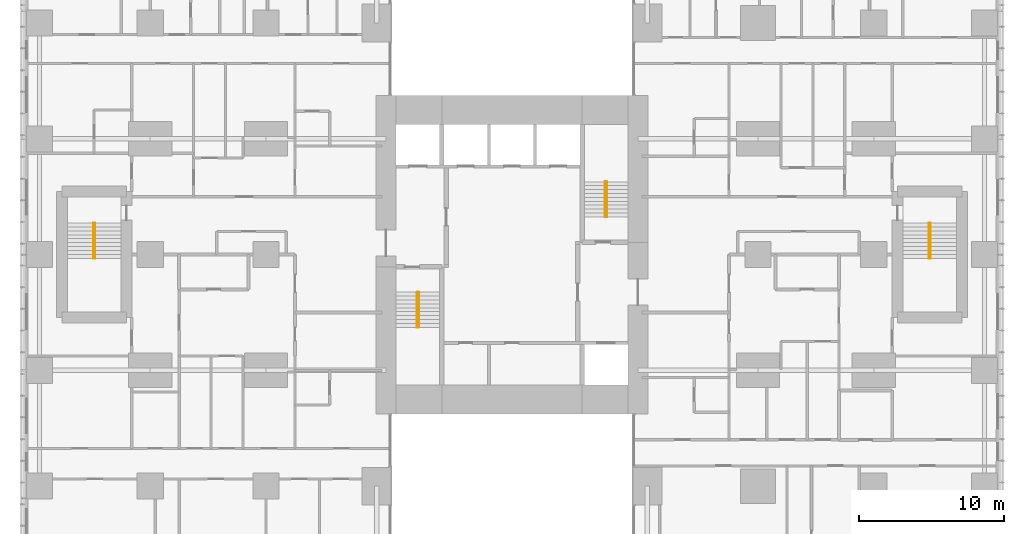
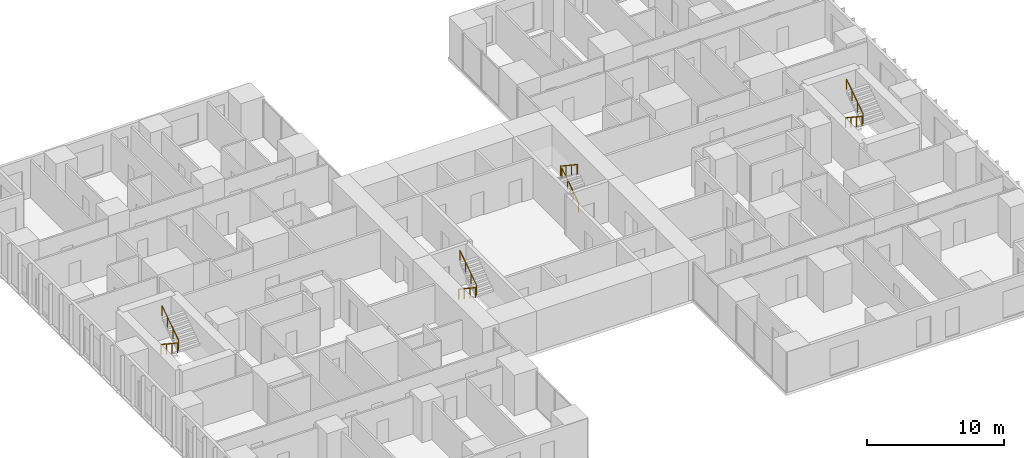
# One storey, part 20 of 20: 8 railings.
"""IFC4 building model written with IfcOpenShell, lengths in metres."""

import ifcopenshell
import ifcopenshell.guid

model = None  # the IFC model being written
_history = None  # IfcOwnerHistory: only IFC2X3 demands one
_inside = {}  # id of a spatial element -> (the spatial element, [elements in it])
_under = {}  # id of a project, library or spatial element -> (it, [spatial elements below it])
_declared = {}  # id of a project -> (the project, [libraries it declares])
_typed = {}  # id of a type object -> (the type object, [elements of that type])
_made_of = {}  # id of a material, layer set ... -> (it, [elements and type objects made of it])


def new_model(schema):
    """Start an empty IFC model of exactly this schema.

    Asked for "IFC4X3", IfcOpenShell would pick the latest addendum, in which some entities
    have other attributes; the version numbers below select the first issue.
    IFC2X3 requires an IfcOwnerHistory on every rooted entity: one is made here for all.
    """
    global model, _history
    if schema == "IFC4X3":
        model = ifcopenshell.file(schema_version=(4, 3, 0, 0))
    else:
        model = ifcopenshell.file(schema=schema)
    _inside.clear()
    _under.clear()
    _declared.clear()
    _typed.clear()
    _made_of.clear()
    _history = None
    if model.schema == "IFC2X3":
        org = make("IfcOrganization", Name="unknown")
        user = make(
            "IfcPersonAndOrganization",
            ThePerson=make("IfcPerson", FamilyName="unknown"),
            TheOrganization=org,
        )
        app = make(
            "IfcApplication",
            ApplicationDeveloper=org,
            Version="unknown",
            ApplicationFullName="unknown",
            ApplicationIdentifier="unknown",
        )
        _history = make(
            "IfcOwnerHistory",
            OwningUser=user,
            OwningApplication=app,
            ChangeAction="ADDED",
            CreationDate=0,
        )
    return model


def make(cls, **values):
    """One entity of the class cls with the attributes given. An attribute that is None is left unset."""
    return model.create_entity(
        cls, **{name: value for name, value in values.items() if value is not None}
    )


def rooted(cls, **values):
    """An entity with a GlobalId (a new one), such as an element, a storey or a relation."""
    return make(cls, GlobalId=ifcopenshell.guid.new(), OwnerHistory=_history, **values)


def si_unit(unit_type, name, prefix=None):
    """IfcSIUnit, for example si_unit("LENGTHUNIT", "METRE", prefix="MILLI")."""
    return make("IfcSIUnit", UnitType=unit_type, Prefix=prefix, Name=name)


def assignment(units):
    """IfcUnitAssignment: the units of a project."""
    return None if units is None else make("IfcUnitAssignment", Units=units)


def point(xyz):
    """IfcCartesianPoint."""
    return None if xyz is None else make("IfcCartesianPoint", Coordinates=xyz)


def direction(xyz):
    """IfcDirection."""
    return None if xyz is None else make("IfcDirection", DirectionRatios=xyz)


def frame(location, z_axis=None, x_axis=None):
    """IfcAxis2Placement3D, a coordinate frame: its origin and axes. An axis left out is left unset."""
    return make(
        "IfcAxis2Placement3D",
        Location=point(location),
        Axis=direction(z_axis),
        RefDirection=direction(x_axis),
    )


def frame_2d(location, x_axis=None):
    """IfcAxis2Placement2D, a coordinate frame in the plane: its origin and x axis."""
    return make(
        "IfcAxis2Placement2D", Location=point(location), RefDirection=direction(x_axis)
    )


def origin():
    """The frame at (0, 0, 0) with its axes left unset."""
    return frame((0.0, 0.0, 0.0))


def origin_2d():
    """The frame at (0, 0) in the plane with its x axis left unset."""
    return frame_2d((0.0, 0.0))


def place(relative_to, where):
    """IfcLocalPlacement: puts the frame where relative to a parent placement (None: the world)."""
    return make(
        "IfcLocalPlacement", PlacementRelTo=relative_to, RelativePlacement=where
    )


def context(
    kind, dimensions, precision=None, world=None, true_north=None, identifier=None
):
    """IfcGeometricRepresentationContext, for example the 3D "Model" context."""
    return make(
        "IfcGeometricRepresentationContext",
        ContextIdentifier=identifier,
        ContextType=kind,
        CoordinateSpaceDimension=dimensions,
        Precision=precision,
        WorldCoordinateSystem=world,
        TrueNorth=true_north,
    )


def subcontext(parent, identifier, kind, view, scale=None):
    """IfcGeometricRepresentationSubContext, for example "Body" below "Model"."""
    return make(
        "IfcGeometricRepresentationSubContext",
        ContextIdentifier=identifier,
        ContextType=kind,
        ParentContext=parent,
        TargetScale=scale,
        TargetView=view,
    )


def project(units=None, contexts=None):
    """IfcProject with its units and contexts."""
    return rooted(
        "IfcProject",
        Name="project",
        RepresentationContexts=contexts,
        UnitsInContext=assignment(units),
    )


def spatial(cls, under=None, at=None, **own):
    """A site, building, storey or space (cls), placed at a placement, below another one or the project."""
    s = rooted(cls, ObjectPlacement=at, **own)
    if under is not None:
        _under.setdefault(under.id(), (under, []))[1].append(s)
    return s


def profile(cls, at=None, kind="AREA", **sizes):
    """A parametric profile (cls). Its sizes go by their IFC names, for example OverallWidth=200.0."""
    return make(cls, ProfileType=kind, Position=at, **sizes)


def circle(**sizes):
    """IfcCircleProfileDef."""
    return profile("IfcCircleProfileDef", **sizes)


def extrude(swept, where, along, depth):
    """IfcExtrudedAreaSolid: the profile swept, set in the frame where, extruded along a direction by depth."""
    return make(
        "IfcExtrudedAreaSolid",
        SweptArea=swept,
        Position=where,
        ExtrudedDirection=direction(along),
        Depth=depth,
    )


def shape(context_of_items, identifier, shape_type, items):
    """IfcShapeRepresentation: the items that make up one representation, for example the "Body"."""
    return make(
        "IfcShapeRepresentation",
        ContextOfItems=context_of_items,
        RepresentationIdentifier=identifier,
        RepresentationType=shape_type,
        Items=items,
    )


def material(Name=None, Category=None):
    """IfcMaterial."""
    return make("IfcMaterial", Name=Name, Category=Category)


def made_of(thing, what):
    """Note that an element or type object is made of a material, layer set ...; save() writes the relation."""
    if what is not None:
        _made_of.setdefault(what.id(), (what, []))[1].append(thing)
    return thing


def type_object(cls, material=None, **own):
    """A type object (cls), such as IfcWallType, which elements share."""
    return made_of(rooted(cls, **own), material)


def element(
    cls,
    number,
    at=None,
    inside=None,
    cuts=None,
    type_object=None,
    material=None,
    context=None,
    identifier="Body",
    shape_type=None,
    held_by="IfcProductDefinitionShape",
    body=None,
    shapes=None,
    **own,
):
    """One element of the class cls, such as IfcWall. Its Tag is "e" and its number.

    at: its placement. inside: the storey or other place that contains it. cuts: it is an
    opening in that element (IfcRelVoidsElement). A single representation is given by context,
    identifier, shape_type and body (its items); several are given by shapes. held_by: the class
    of the entity that holds the representations. save() writes the other relations.
    """
    e = rooted(cls, Tag="e%d" % number, ObjectPlacement=at, **own)
    if body is not None:
        shapes = [shape(context, identifier, shape_type, body)]
    if shapes is not None:
        e.Representation = make(held_by, Representations=shapes)
    if inside is not None:
        _inside.setdefault(inside.id(), (inside, []))[1].append(e)
    if cuts is not None:
        rooted(
            "IfcRelVoidsElement", RelatingBuildingElement=cuts, RelatedOpeningElement=e
        )
    if type_object is not None:
        _typed.setdefault(type_object.id(), (type_object, []))[1].append(e)
    return made_of(e, material)


def aggregate(whole, parts):
    """IfcRelAggregates: a whole, such as a stair, and the parts it consists of."""
    return rooted("IfcRelAggregates", RelatingObject=whole, RelatedObjects=parts)


def save(model, path):
    """Write the relations noted so far, then the file.

    IfcRelAggregates (storeys below a building ...), IfcRelContainedInSpatialStructure (elements
    in a storey), IfcRelDefinesByType, IfcRelAssociatesMaterial and IfcRelDeclares: one each for
    every whole, place, type object, material and project.
    """
    for whole, parts in _under.values():
        aggregate(whole, parts)
    for where, things in _inside.values():
        rooted(
            "IfcRelContainedInSpatialStructure",
            RelatedElements=things,
            RelatingStructure=where,
        )
    for kind, things in _typed.values():
        rooted("IfcRelDefinesByType", RelatedObjects=things, RelatingType=kind)
    for what, things in _made_of.values():
        rooted("IfcRelAssociatesMaterial", RelatedObjects=things, RelatingMaterial=what)
    for by, libraries in _declared.values():
        rooted("IfcRelDeclares", RelatingContext=by, RelatedDefinitions=libraries)
    model.write(path)


model = new_model("IFC4")

# Units and contexts
model_context = context("Model", 3, precision=1e-05, world=origin(), true_north=direction((0.0, 1.0)))
body_context = subcontext(model_context, "Body", "Model", "MODEL_VIEW")
ifc_project = project(units=[si_unit("LENGTHUNIT", "METRE"), si_unit("AREAUNIT", "SQUARE_METRE"), si_unit("VOLUMEUNIT", "CUBIC_METRE"), si_unit("PLANEANGLEUNIT", "RADIAN"), si_unit("MASSUNIT", "GRAM", prefix="KILO")], contexts=[model_context])

# Site, building, storey
site_placement = place(None, origin())
site = spatial("IfcSite", under=ifc_project, at=site_placement, CompositionType="ELEMENT")
building_placement = place(site_placement, origin())
building = spatial("IfcBuilding", under=site, at=building_placement, Name="Cleftline Residences", CompositionType="ELEMENT")
storey_placement = place(building_placement, frame((0.0, 0.0, 207.39990234375)))
storey = spatial("IfcBuildingStorey", under=building, at=storey_placement, Name="L54", CompositionType="ELEMENT", Elevation=207.39990234375)

# Railings
ifc_material = material(Name="Stainless steel", Category="steel")
railing_type = type_object("IfcRailingType", Name="HANDRAIL 900", PredefinedType="HANDRAIL", material=ifc_material)
railing_1_placement = place(storey_placement, frame((26.449951171875, 21.39990234375, 0.18017578125)))
element("IfcRailing", 1, at=railing_1_placement, inside=storey, type_object=railing_type, Name="Stair handrail", PredefinedType="HANDRAIL", context=body_context, shape_type="SweptSolid", body=[
    extrude(circle(Radius=0.02392578125, at=origin_2d()), frame((0.0, 0.0, 0.8759765625), z_axis=(0.0, -0.832063155534, 0.554680903946), x_axis=(1.0, 0.0, 0.0)), (0.0, 0.0, 1.0), 2.92041015625),
    extrude(circle(Radius=0.02099609375, at=origin_2d()), origin(), (0.0, 0.0, 1.0), 0.851806640625),
    extrude(circle(Radius=0.02099609375, at=origin_2d()), frame((0.0, -0.81005859375, 0.5400390625)), (0.0, 0.0, 1.0), 0.851806640625),
    extrude(circle(Radius=0.02099609375, at=origin_2d()), frame((0.0, -1.619873046875, 1.079833984375)), (0.0, 0.0, 1.0), 0.851806640625),
    extrude(circle(Radius=0.02099609375, at=origin_2d()), frame((0.0, -2.429931640625, 1.619873046875)), (0.0, 0.0, 1.0), 0.851806640625),
])
railing_2_placement = place(storey_placement, frame((26.550048828125, 18.969970703125, 1.97998046875)))
element("IfcRailing", 2, at=railing_2_placement, inside=storey, type_object=railing_type, Name="Stair handrail", PredefinedType="HANDRAIL", context=body_context, shape_type="SweptSolid", body=[
    extrude(circle(Radius=0.02392578125, at=origin_2d()), frame((0.0, 0.0, 0.8759765625), z_axis=(0.0, 0.832024571796, 0.554738778101), x_axis=(-1.0, 0.0, 0.0)), (0.0, 0.0, 1.0), 2.92041015625),
    extrude(circle(Radius=0.02099609375, at=origin_2d()), origin(), (0.0, 0.0, 1.0), 0.851806640625),
    extrude(circle(Radius=0.02099609375, at=origin_2d()), frame((0.0, 0.81005859375, 0.5400390625)), (0.0, 0.0, 1.0), 0.851806640625),
    extrude(circle(Radius=0.02099609375, at=origin_2d()), frame((0.0, 1.619873046875, 1.080078125)), (0.0, 0.0, 1.0), 0.851806640625),
    extrude(circle(Radius=0.02099609375, at=origin_2d()), frame((0.0, 2.429931640625, 1.6201171875)), (0.0, 0.0, 1.0), 0.851806640625),
])
railing_3_placement = place(storey_placement, frame((39.550048828125, 26.60009765625, 0.18017578125)))
element("IfcRailing", 3, at=railing_3_placement, inside=storey, type_object=railing_type, Name="Stair handrail", PredefinedType="HANDRAIL", context=body_context, shape_type="SweptSolid", body=[
    extrude(circle(Radius=0.02392578125, at=origin_2d()), frame((0.0, 0.0, 0.8759765625), z_axis=(0.0, 0.832063155534, 0.554680903946), x_axis=(-1.0, 0.0, 0.0)), (0.0, 0.0, 1.0), 2.92041015625),
    extrude(circle(Radius=0.02099609375, at=origin_2d()), origin(), (0.0, 0.0, 1.0), 0.851806640625),
    extrude(circle(Radius=0.02099609375, at=origin_2d()), frame((0.0, 0.81005859375, 0.5400390625)), (0.0, 0.0, 1.0), 0.851806640625),
    extrude(circle(Radius=0.02099609375, at=origin_2d()), frame((0.0, 1.619873046875, 1.079833984375)), (0.0, 0.0, 1.0), 0.851806640625),
    extrude(circle(Radius=0.02099609375, at=origin_2d()), frame((0.0, 2.429931640625, 1.619873046875)), (0.0, 0.0, 1.0), 0.851806640625),
])
railing_4_placement = place(storey_placement, frame((39.449951171875, 29.030029296875, 1.97998046875)))
element("IfcRailing", 4, at=railing_4_placement, inside=storey, type_object=railing_type, Name="Stair handrail", PredefinedType="HANDRAIL", context=body_context, shape_type="SweptSolid", body=[
    extrude(circle(Radius=0.02392578125, at=origin_2d()), frame((0.0, 0.0, 0.8759765625), z_axis=(0.0, -0.832024571796, 0.554738778101), x_axis=(1.0, 0.0, 0.0)), (0.0, 0.0, 1.0), 2.92041015625),
    extrude(circle(Radius=0.02099609375, at=origin_2d()), origin(), (0.0, 0.0, 1.0), 0.851806640625),
    extrude(circle(Radius=0.02099609375, at=origin_2d()), frame((0.0, -0.81005859375, 0.5400390625)), (0.0, 0.0, 1.0), 0.851806640625),
    extrude(circle(Radius=0.02099609375, at=origin_2d()), frame((0.0, -1.619873046875, 1.080078125)), (0.0, 0.0, 1.0), 0.851806640625),
    extrude(circle(Radius=0.02099609375, at=origin_2d()), frame((0.0, -2.429931640625, 1.6201171875)), (0.0, 0.0, 1.0), 0.851806640625),
])
railing_5_placement = place(storey_placement, frame((61.824951171875, 26.175048828125, 0.18017578125)))
element("IfcRailing", 5, at=railing_5_placement, inside=storey, type_object=railing_type, Name="Stair handrail", PredefinedType="HANDRAIL", context=body_context, shape_type="SweptSolid", body=[
    extrude(circle(Radius=0.02392578125, at=origin_2d()), frame((0.0, 0.0, 0.8759765625), z_axis=(0.0, -0.832063155534, 0.554680903946), x_axis=(1.0, 0.0, 0.0)), (0.0, 0.0, 1.0), 2.92041015625),
    extrude(circle(Radius=0.02099609375, at=origin_2d()), origin(), (0.0, 0.0, 1.0), 0.851806640625),
    extrude(circle(Radius=0.02099609375, at=origin_2d()), frame((0.0, -0.81005859375, 0.5400390625)), (0.0, 0.0, 1.0), 0.851806640625),
    extrude(circle(Radius=0.02099609375, at=origin_2d()), frame((0.0, -1.619873046875, 1.079833984375)), (0.0, 0.0, 1.0), 0.851806640625),
    extrude(circle(Radius=0.02099609375, at=origin_2d()), frame((0.0, -2.429931640625, 1.619873046875)), (0.0, 0.0, 1.0), 0.851806640625),
])
railing_6_placement = place(storey_placement, frame((61.925048828125, 23.7451171875, 1.97998046875)))
element("IfcRailing", 6, at=railing_6_placement, inside=storey, type_object=railing_type, Name="Stair handrail", PredefinedType="HANDRAIL", context=body_context, shape_type="SweptSolid", body=[
    extrude(circle(Radius=0.02392578125, at=origin_2d()), frame((0.0, 0.0, 0.8759765625), z_axis=(0.0, 0.832024571796, 0.554738778101), x_axis=(-1.0, 0.0, 0.0)), (0.0, 0.0, 1.0), 2.92041015625),
    extrude(circle(Radius=0.02099609375, at=origin_2d()), origin(), (0.0, 0.0, 1.0), 0.851806640625),
    extrude(circle(Radius=0.02099609375, at=origin_2d()), frame((0.0, 0.81005859375, 0.5400390625)), (0.0, 0.0, 1.0), 0.851806640625),
    extrude(circle(Radius=0.02099609375, at=origin_2d()), frame((0.0, 1.619873046875, 1.080078125)), (0.0, 0.0, 1.0), 0.851806640625),
    extrude(circle(Radius=0.02099609375, at=origin_2d()), frame((0.0, 2.429931640625, 1.6201171875)), (0.0, 0.0, 1.0), 0.851806640625),
])
railing_7_placement = place(storey_placement, frame((4.074951171875, 26.175048828125, 0.18017578125)))
element("IfcRailing", 7, at=railing_7_placement, inside=storey, type_object=railing_type, Name="Stair handrail", PredefinedType="HANDRAIL", context=body_context, shape_type="SweptSolid", body=[
    extrude(circle(Radius=0.02392578125, at=origin_2d()), frame((0.0, 0.0, 0.8759765625), z_axis=(0.0, -0.832063155534, 0.554680903946), x_axis=(1.0, 0.0, 0.0)), (0.0, 0.0, 1.0), 2.92041015625),
    extrude(circle(Radius=0.02099609375, at=origin_2d()), origin(), (0.0, 0.0, 1.0), 0.851806640625),
    extrude(circle(Radius=0.02099609375, at=origin_2d()), frame((0.0, -0.81005859375, 0.5400390625)), (0.0, 0.0, 1.0), 0.851806640625),
    extrude(circle(Radius=0.02099609375, at=origin_2d()), frame((0.0, -1.619873046875, 1.079833984375)), (0.0, 0.0, 1.0), 0.851806640625),
    extrude(circle(Radius=0.02099609375, at=origin_2d()), frame((0.0, -2.429931640625, 1.619873046875)), (0.0, 0.0, 1.0), 0.851806640625),
])
railing_8_placement = place(storey_placement, frame((4.175048828125, 23.7451171875, 1.97998046875)))
element("IfcRailing", 8, at=railing_8_placement, inside=storey, type_object=railing_type, Name="Stair handrail", PredefinedType="HANDRAIL", context=body_context, shape_type="SweptSolid", body=[
    extrude(circle(Radius=0.02392578125, at=origin_2d()), frame((0.0, 0.0, 0.8759765625), z_axis=(0.0, 0.832024571796, 0.554738778101), x_axis=(-1.0, 0.0, 0.0)), (0.0, 0.0, 1.0), 2.92041015625),
    extrude(circle(Radius=0.02099609375, at=origin_2d()), origin(), (0.0, 0.0, 1.0), 0.851806640625),
    extrude(circle(Radius=0.02099609375, at=origin_2d()), frame((0.0, 0.81005859375, 0.5400390625)), (0.0, 0.0, 1.0), 0.851806640625),
    extrude(circle(Radius=0.02099609375, at=origin_2d()), frame((0.0, 1.619873046875, 1.080078125)), (0.0, 0.0, 1.0), 0.851806640625),
    extrude(circle(Radius=0.02099609375, at=origin_2d()), frame((0.0, 2.429931640625, 1.6201171875)), (0.0, 0.0, 1.0), 0.851806640625),
])

save(model, "model.ifc")
